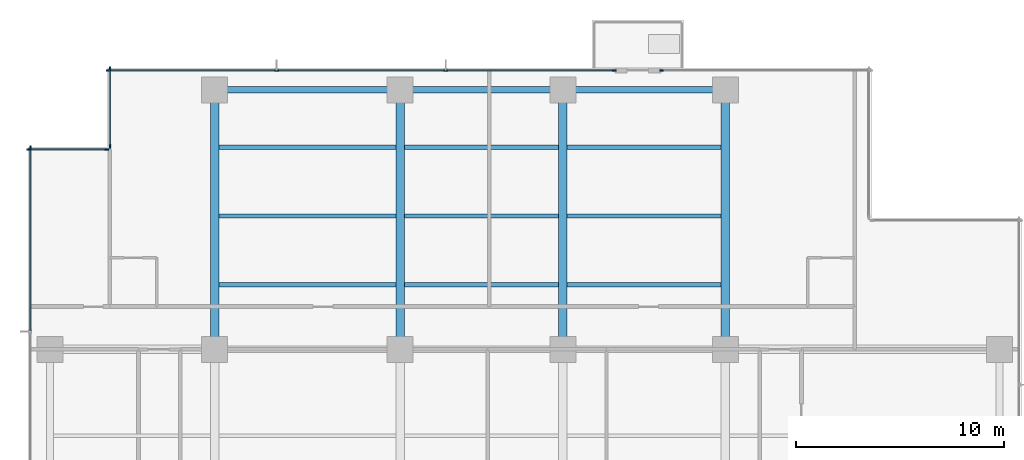
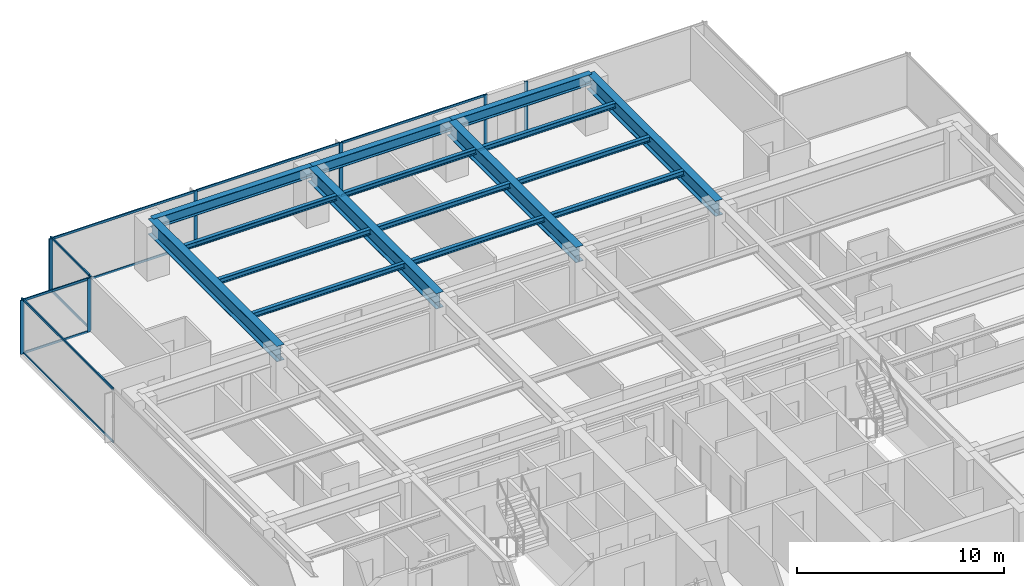
# One storey, part 5 of 16: 22 members, 16 beams, 5 elements without a shape of their own.
"""IFC4 building model written with IfcOpenShell, lengths in metres."""

from ifc_helpers import new_model, si_unit, direction, frame, origin, origin_2d, place, context, subcontext, project, spatial, rectangle, i_section, extrude, material, layer, layer_set, material_profile, profile_set, type_object, element, aggregate, save


model = new_model("IFC4")

# Units and contexts
model_context = context("Model", 3, precision=1e-05, world=origin(), true_north=direction((0.0, 1.0)))
body_context = subcontext(model_context, "Body", "Model", "MODEL_VIEW")
ifc_project = project(units=[si_unit("LENGTHUNIT", "METRE"), si_unit("AREAUNIT", "SQUARE_METRE"), si_unit("VOLUMEUNIT", "CUBIC_METRE"), si_unit("PLANEANGLEUNIT", "RADIAN"), si_unit("MASSUNIT", "GRAM", prefix="KILO")], contexts=[model_context])

# Site, building, storey
site_placement = place(None, origin())
site = spatial("IfcSite", under=ifc_project, at=site_placement, CompositionType="ELEMENT")
building_placement = place(site_placement, origin())
building = spatial("IfcBuilding", under=site, at=building_placement, Name="Qalmaran Belvedere Hotel", CompositionType="ELEMENT")
storey_placement = place(building_placement, frame((0.0, 0.0, 126.699951171875)))
storey = spatial("IfcBuildingStorey", under=building, at=storey_placement, Name="L32", CompositionType="ELEMENT", Elevation=126.699951171875)

# Beams
ifc_material_1 = material(Name="Steel S355JR", Category="steel")
ifc_material_profile_1 = material_profile(ifc_material_1, i_section(OverallWidth=0.202880859375, OverallDepth=0.302978515625, WebThickness=0.007568359375, FlangeThickness=0.01318359375, FilletRadius=0.012939453125, at=origin_2d()), Name="W310X60")
ifc_profile_set_1 = profile_set([ifc_material_profile_1], Name="Steel S355JR")
beam_type_1 = type_object("IfcBeamType", Name="BM-JST-W310X60", PredefinedType="JOIST", material=ifc_profile_set_1)
beam_1_placement = place(storey_placement, frame((20.507080078125, 36.10009765625, 3.028564453125), z_axis=(1.0, 0.0, 0.0), x_axis=(0.0, 1.0, 0.0)))
element("IfcBeam", 1, at=beam_1_placement, inside=storey, type_object=beam_type_1, Name="L32 North Floor Joist 042", PredefinedType="JOIST", context=body_context, shape_type="SweptSolid", body=[
    extrude(i_section(OverallWidth=0.202880859375, OverallDepth=0.302978515625, WebThickness=0.007568359375, FlangeThickness=0.01318359375, FilletRadius=0.012939453125, at=origin_2d()), origin(), (0.0, 0.0, 1.0), 8.48583984375),
])
for number, where, z_axis, x_axis, name in (
    (2, (29.406982421875, 36.10009765625, 3.028564453125), (1.0, 0.0, 0.0), (0.0, 1.0, 0.0), "L32 North Floor Joist 043"),
    (3, (37.20703125, 36.10009765625, 3.028564453125), (1.0, 0.0, 0.0), (0.0, 1.0, 0.0), "L32 North Floor Joist 044"),
):
    element("IfcBeam", number, at=place(storey_placement, frame(where, z_axis=z_axis, x_axis=x_axis)), inside=storey, type_object=beam_type_1, Name=name, PredefinedType="JOIST", context=body_context, shape_type="SweptSolid", body=[
        extrude(i_section(OverallWidth=0.202880859375, OverallDepth=0.302978515625, WebThickness=0.007568359375, FlangeThickness=0.01318359375, FilletRadius=0.012939453125, at=origin_2d()), origin(), (0.0, 0.0, 1.0), 7.385986328125),
    ])
beam_2_placement = place(storey_placement, frame((20.507080078125, 39.39990234375, 3.028564453125), z_axis=(1.0, 0.0, 0.0), x_axis=(0.0, 1.0, 0.0)))
element("IfcBeam", 4, at=beam_2_placement, inside=storey, type_object=beam_type_1, Name="L32 North Floor Joist 045", PredefinedType="JOIST", context=body_context, shape_type="SweptSolid", body=[
    extrude(i_section(OverallWidth=0.202880859375, OverallDepth=0.302978515625, WebThickness=0.007568359375, FlangeThickness=0.01318359375, FilletRadius=0.012939453125, at=origin_2d()), origin(), (0.0, 0.0, 1.0), 8.48583984375),
])
for number, where, z_axis, x_axis, name in (
    (5, (29.406982421875, 39.39990234375, 3.028564453125), (1.0, 0.0, 0.0), (0.0, 1.0, 0.0), "L32 North Floor Joist 046"),
    (6, (37.20703125, 39.39990234375, 3.028564453125), (1.0, 0.0, 0.0), (0.0, 1.0, 0.0), "L32 North Floor Joist 047"),
):
    element("IfcBeam", number, at=place(storey_placement, frame(where, z_axis=z_axis, x_axis=x_axis)), inside=storey, type_object=beam_type_1, Name=name, PredefinedType="JOIST", context=body_context, shape_type="SweptSolid", body=[
        extrude(i_section(OverallWidth=0.202880859375, OverallDepth=0.302978515625, WebThickness=0.007568359375, FlangeThickness=0.01318359375, FilletRadius=0.012939453125, at=origin_2d()), origin(), (0.0, 0.0, 1.0), 7.385986328125),
    ])
beam_3_placement = place(storey_placement, frame((20.507080078125, 42.699951171875, 3.028564453125), z_axis=(1.0, 0.0, 0.0), x_axis=(0.0, 1.0, 0.0)))
element("IfcBeam", 7, at=beam_3_placement, inside=storey, type_object=beam_type_1, Name="L32 North Floor Joist 048", PredefinedType="JOIST", context=body_context, shape_type="SweptSolid", body=[
    extrude(i_section(OverallWidth=0.202880859375, OverallDepth=0.302978515625, WebThickness=0.007568359375, FlangeThickness=0.01318359375, FilletRadius=0.012939453125, at=origin_2d()), origin(), (0.0, 0.0, 1.0), 8.48583984375),
])
for number, where, z_axis, x_axis, name in (
    (8, (29.406982421875, 42.699951171875, 3.028564453125), (1.0, 0.0, 0.0), (0.0, 1.0, 0.0), "L32 North Floor Joist 049"),
    (9, (37.20703125, 42.699951171875, 3.028564453125), (1.0, 0.0, 0.0), (0.0, 1.0, 0.0), "L32 North Floor Joist 050"),
):
    element("IfcBeam", number, at=place(storey_placement, frame(where, z_axis=z_axis, x_axis=x_axis)), inside=storey, type_object=beam_type_1, Name=name, PredefinedType="JOIST", context=body_context, shape_type="SweptSolid", body=[
        extrude(i_section(OverallWidth=0.202880859375, OverallDepth=0.302978515625, WebThickness=0.007568359375, FlangeThickness=0.01318359375, FilletRadius=0.012939453125, at=origin_2d()), origin(), (0.0, 0.0, 1.0), 7.385986328125),
    ])
ifc_material_profile_2 = material_profile(ifc_material_1, i_section(OverallWidth=0.41796875, OverallDepth=0.912109375, WebThickness=0.019287109375, FlangeThickness=0.031982421875, FilletRadius=0.02392578125, at=origin_2d()), Name="W920X342")
ifc_profile_set_2 = profile_set([ifc_material_profile_2], Name="Steel S355JR")
beam_type_2 = type_object("IfcBeamType", Name="BM-PG2-W920X342", PredefinedType="USERDEFINED", material=ifc_profile_set_2)
for number, where, z_axis, x_axis, name in (
    (10, (20.300048828125, 33.0, 2.72412109375), (0.0, 1.0, 0.0), (-1.0, 0.0, 0.0), "L32 North Bay Girder 15"),
    (11, (29.199951171875, 33.0, 2.72412109375), (0.0, 1.0, 0.0), (-1.0, 0.0, 0.0), "L32 North Bay Girder 17"),
    (12, (37.0, 33.0, 2.72412109375), (0.0, 1.0, 0.0), (-1.0, 0.0, 0.0), "L32 North Bay Girder 19"),
    (13, (44.800048828125, 33.0, 2.72412109375), (0.0, 1.0, 0.0), (-1.0, 0.0, 0.0), "L32 North Bay Girder 21"),
):
    element("IfcBeam", number, at=place(storey_placement, frame(where, z_axis=z_axis, x_axis=x_axis)), inside=storey, type_object=beam_type_2, Name=name, ObjectType="GIRDER", PredefinedType="USERDEFINED", context=body_context, shape_type="SweptSolid", body=[
        extrude(i_section(OverallWidth=0.41796875, OverallDepth=0.912109375, WebThickness=0.019287109375, FlangeThickness=0.031982421875, FilletRadius=0.02392578125, at=origin_2d()), origin(), (0.0, 0.0, 1.0), 12.449951171875),
    ])
ifc_material_profile_3 = material_profile(ifc_material_1, i_section(OverallWidth=0.326904296875, OverallDepth=0.6220703125, WebThickness=0.015380859375, FlangeThickness=0.0244140625, FilletRadius=0.02001953125, at=origin_2d()), Name="W610X195")
ifc_profile_set_3 = profile_set([ifc_material_profile_3], Name="Steel S355JR")
beam_type_3 = type_object("IfcBeamType", Name="BM-SP1-W610X195", PredefinedType="SPANDREL", material=ifc_profile_set_3)
beam_4_placement = place(storey_placement, frame((20.300048828125, 45.449951171875, 2.869140625), z_axis=(1.0, 0.0, 0.0), x_axis=(0.0, 1.0, 0.0)))
element("IfcBeam", 14, at=beam_4_placement, inside=storey, type_object=beam_type_3, Name="L32 Perimeter Spandrel 05", PredefinedType="SPANDREL", context=body_context, shape_type="SweptSolid", body=[
    extrude(i_section(OverallWidth=0.326904296875, OverallDepth=0.6220703125, WebThickness=0.015380859375, FlangeThickness=0.0244140625, FilletRadius=0.02001953125, at=origin_2d()), origin(), (0.0, 0.0, 1.0), 8.89990234375),
])
for number, where, z_axis, x_axis, name in (
    (15, (29.199951171875, 45.449951171875, 2.869140625), (1.0, 0.0, 0.0), (0.0, 1.0, 0.0), "L32 Perimeter Spandrel 06"),
    (16, (37.0, 45.449951171875, 2.869140625), (1.0, 0.0, 0.0), (0.0, 1.0, 0.0), "L32 Perimeter Spandrel 07"),
):
    element("IfcBeam", number, at=place(storey_placement, frame(where, z_axis=z_axis, x_axis=x_axis)), inside=storey, type_object=beam_type_3, Name=name, PredefinedType="SPANDREL", context=body_context, shape_type="SweptSolid", body=[
        extrude(i_section(OverallWidth=0.326904296875, OverallDepth=0.6220703125, WebThickness=0.015380859375, FlangeThickness=0.0244140625, FilletRadius=0.02001953125, at=origin_2d()), origin(), (0.0, 0.0, 1.0), 7.800048828125),
    ])

# Curtain wall, members
ifc_material_2 = material(Name="Anodised Bronze Aluminium", Category="aluminium")
ifc_layer = layer(ifc_material_2, 0.199951171875, Name="Anodised Bronze Aluminium")
ifc_layer_set = layer_set([ifc_layer], Name="Anodised Bronze Aluminium")
curtain_wall_type = type_object("IfcCurtainWallType", Name="CW3-TOWER-LOWMID", PredefinedType="NOTDEFINED", material=ifc_layer_set)
curtain_wall_1_placement = place(storey_placement, origin())
curtain_wall_1 = element("IfcCurtainWall", 17, at=curtain_wall_1_placement, inside=storey, type_object=curtain_wall_type, Name="L32 Curtain Wall CW3", PredefinedType="NOTDEFINED")
ifc_material_profile_4 = material_profile(ifc_material_2, rectangle(XDim=0.070068359375, YDim=0.18994140625, at=origin_2d()), Name="CWM70X190")
ifc_profile_set_4 = profile_set([ifc_material_profile_4], Name="Anodised Bronze Aluminium")
member_type_1 = type_object("IfcMemberType", Name="CWM-70X190", PredefinedType="MULLION", material=ifc_profile_set_4)
member_1_placement = place(storey_placement, frame((39.465087890625, 46.3798828125, 0.0), z_axis=(0.0, 0.0, 1.0), x_axis=(0.0, -1.0, 0.0)))
member_1 = element("IfcMember", 18, at=member_1_placement, type_object=member_type_1, Name="CW3 mullion 1", PredefinedType="MULLION", context=body_context, shape_type="SweptSolid", body=[
    extrude(rectangle(XDim=0.070068359375, YDim=0.18994140625, at=origin_2d()), origin(), (0.0, 0.0, 1.0), 3.179931640625),
])
member_2_placement = place(storey_placement, frame((31.38330078125, 46.3798828125, 0.0), z_axis=(0.0, 0.0, 1.0), x_axis=(0.0, -1.0, 0.0)))
member_2 = element("IfcMember", 19, at=member_2_placement, type_object=member_type_1, Name="CW3 mullion 2", PredefinedType="MULLION", context=body_context, shape_type="SweptSolid", body=[
    extrude(rectangle(XDim=0.070068359375, YDim=0.18994140625, at=origin_2d()), origin(), (0.0, 0.0, 1.0), 3.179931640625),
])
member_3_placement = place(storey_placement, frame((23.2666015625, 46.3798828125, 0.0), z_axis=(0.0, 0.0, 1.0), x_axis=(0.0, -1.0, 0.0)))
member_3 = element("IfcMember", 20, at=member_3_placement, type_object=member_type_1, Name="CW3 mullion 3", PredefinedType="MULLION", context=body_context, shape_type="SweptSolid", body=[
    extrude(rectangle(XDim=0.070068359375, YDim=0.18994140625, at=origin_2d()), origin(), (0.0, 0.0, 1.0), 3.179931640625),
])
member_4_placement = place(storey_placement, frame((15.18505859375, 46.3798828125, 0.0), z_axis=(0.0, 0.0, 1.0), x_axis=(0.0, -1.0, 0.0)))
member_4 = element("IfcMember", 21, at=member_4_placement, type_object=member_type_1, Name="CW3 mullion 4", PredefinedType="MULLION", context=body_context, shape_type="SweptSolid", body=[
    extrude(rectangle(XDim=0.070068359375, YDim=0.18994140625, at=origin_2d()), origin(), (0.0, 0.0, 1.0), 3.179931640625),
])

# Curtain wall, member
curtain_wall_2_placement = place(storey_placement, origin())
curtain_wall_2 = element("IfcCurtainWall", 22, at=curtain_wall_2_placement, inside=storey, type_object=curtain_wall_type, Name="L32 Curtain Wall CW3", PredefinedType="NOTDEFINED")
member_5_placement = place(storey_placement, frame((41.735107421875, 46.3798828125, 0.0), z_axis=(0.0, 0.0, 1.0), x_axis=(0.0, -1.0, 0.0)))
member_5 = element("IfcMember", 23, at=member_5_placement, type_object=member_type_1, Name="CW3 mullion 2", PredefinedType="MULLION", context=body_context, shape_type="SweptSolid", body=[
    extrude(rectangle(XDim=0.070068359375, YDim=0.18994140625, at=origin_2d()), origin(), (0.0, 0.0, 1.0), 3.179931640625),
])
aggregate(curtain_wall_2, [member_5])

# Curtain wall, members
curtain_wall_3_placement = place(storey_placement, origin())
curtain_wall_3 = element("IfcCurtainWall", 24, at=curtain_wall_3_placement, inside=storey, type_object=curtain_wall_type, Name="L32 Curtain Wall CW3", PredefinedType="NOTDEFINED")
member_6_placement = place(storey_placement, frame((15.27001953125, 46.465087890625, 0.0), z_axis=(0.0, 0.0, 1.0), x_axis=(1.0, 0.0, 0.0)))
member_6 = element("IfcMember", 25, at=member_6_placement, type_object=member_type_1, Name="CW3 mullion 1", PredefinedType="MULLION", context=body_context, shape_type="SweptSolid", body=[
    extrude(rectangle(XDim=0.070068359375, YDim=0.18994140625, at=origin_2d()), origin(), (0.0, 0.0, 1.0), 3.179931640625),
])
member_7_placement = place(storey_placement, frame((15.27001953125, 42.735107421875, 0.0), z_axis=(0.0, 0.0, 1.0), x_axis=(1.0, 0.0, 0.0)))
member_7 = element("IfcMember", 26, at=member_7_placement, type_object=member_type_1, Name="CW3 mullion 2", PredefinedType="MULLION", context=body_context, shape_type="SweptSolid", body=[
    extrude(rectangle(XDim=0.070068359375, YDim=0.18994140625, at=origin_2d()), origin(), (0.0, 0.0, 1.0), 3.179931640625),
])

curtain_wall_4_placement = place(storey_placement, origin())
curtain_wall_4 = element("IfcCurtainWall", 27, at=curtain_wall_4_placement, inside=storey, type_object=curtain_wall_type, Name="L32 Curtain Wall CW3", PredefinedType="NOTDEFINED")
member_8_placement = place(storey_placement, frame((15.114990234375, 42.580078125, 0.0), z_axis=(0.0, 0.0, 1.0), x_axis=(0.0, -1.0, 0.0)))
member_8 = element("IfcMember", 28, at=member_8_placement, type_object=member_type_1, Name="CW3 mullion 1", PredefinedType="MULLION", context=body_context, shape_type="SweptSolid", body=[
    extrude(rectangle(XDim=0.070068359375, YDim=0.18994140625, at=origin_2d()), origin(), (0.0, 0.0, 1.0), 3.179931640625),
])
member_9_placement = place(storey_placement, frame((11.385009765625, 42.580078125, 0.0), z_axis=(0.0, 0.0, 1.0), x_axis=(0.0, -1.0, 0.0)))
member_9 = element("IfcMember", 29, at=member_9_placement, type_object=member_type_1, Name="CW3 mullion 2", PredefinedType="MULLION", context=body_context, shape_type="SweptSolid", body=[
    extrude(rectangle(XDim=0.070068359375, YDim=0.18994140625, at=origin_2d()), origin(), (0.0, 0.0, 1.0), 3.179931640625),
])

# Curtain wall, member
curtain_wall_5_placement = place(storey_placement, origin())
curtain_wall_5 = element("IfcCurtainWall", 30, at=curtain_wall_5_placement, inside=storey, type_object=curtain_wall_type, Name="L32 Curtain Wall CW3", PredefinedType="NOTDEFINED")
member_10_placement = place(storey_placement, frame((11.469970703125, 42.6650390625, 0.0), z_axis=(0.0, 0.0, 1.0), x_axis=(1.0, 0.0, 0.0)))
member_10 = element("IfcMember", 31, at=member_10_placement, type_object=member_type_1, Name="CW3 mullion 1", PredefinedType="MULLION", context=body_context, shape_type="SweptSolid", body=[
    extrude(rectangle(XDim=0.070068359375, YDim=0.18994140625, at=origin_2d()), origin(), (0.0, 0.0, 1.0), 3.179931640625),
])

# Member
ifc_material_profile_5 = material_profile(ifc_material_2, rectangle(XDim=0.06494140625, YDim=0.1298828125, at=origin_2d()), Name="CWT65X130")
ifc_profile_set_5 = profile_set([ifc_material_profile_5], Name="Anodised Bronze Aluminium")
member_type_2 = type_object("IfcMemberType", Name="CWT-65X130", PredefinedType="USERDEFINED", material=ifc_profile_set_5)
member_11_placement = place(storey_placement, frame((39.429931640625, 46.3798828125, 0.032470703125), z_axis=(-1.0, 0.0, 0.0), x_axis=(0.0, -1.0, 0.0)))
member_11 = element("IfcMember", 32, at=member_11_placement, type_object=member_type_2, Name="CW3 transom 1.1", ObjectType="TRANSOM", PredefinedType="USERDEFINED", context=body_context, shape_type="SweptSolid", body=[
    extrude(rectangle(XDim=0.06494140625, YDim=0.1298828125, at=origin_2d()), origin(), (0.0, 0.0, 1.0), 8.01171875),
])

member_12_placement = place(storey_placement, frame((39.429931640625, 46.3798828125, 3.1474609375), z_axis=(-1.0, 0.0, 0.0), x_axis=(0.0, -1.0, 0.0)))
member_12 = element("IfcMember", 33, at=member_12_placement, type_object=member_type_2, Name="CW3 transom 1.2", ObjectType="TRANSOM", PredefinedType="USERDEFINED", context=body_context, shape_type="SweptSolid", body=[
    extrude(rectangle(XDim=0.06494140625, YDim=0.1298828125, at=origin_2d()), origin(), (0.0, 0.0, 1.0), 8.01171875),
])

member_13_placement = place(storey_placement, frame((31.348388671875, 46.3798828125, 0.032470703125), z_axis=(-1.0, 0.0, 0.0), x_axis=(0.0, -1.0, 0.0)))
member_13 = element("IfcMember", 34, at=member_13_placement, type_object=member_type_2, Name="CW3 transom 2.1", ObjectType="TRANSOM", PredefinedType="USERDEFINED", context=body_context, shape_type="SweptSolid", body=[
    extrude(rectangle(XDim=0.06494140625, YDim=0.1298828125, at=origin_2d()), origin(), (0.0, 0.0, 1.0), 8.046630859375),
])

member_14_placement = place(storey_placement, frame((31.348388671875, 46.3798828125, 3.1474609375), z_axis=(-1.0, 0.0, 0.0), x_axis=(0.0, -1.0, 0.0)))
member_14 = element("IfcMember", 35, at=member_14_placement, type_object=member_type_2, Name="CW3 transom 2.2", ObjectType="TRANSOM", PredefinedType="USERDEFINED", context=body_context, shape_type="SweptSolid", body=[
    extrude(rectangle(XDim=0.06494140625, YDim=0.1298828125, at=origin_2d()), origin(), (0.0, 0.0, 1.0), 8.046630859375),
])

member_15_placement = place(storey_placement, frame((23.231689453125, 46.3798828125, 0.032470703125), z_axis=(-1.0, 0.0, 0.0), x_axis=(0.0, -1.0, 0.0)))
member_15 = element("IfcMember", 36, at=member_15_placement, type_object=member_type_2, Name="CW3 transom 3.1", ObjectType="TRANSOM", PredefinedType="USERDEFINED", context=body_context, shape_type="SweptSolid", body=[
    extrude(rectangle(XDim=0.06494140625, YDim=0.1298828125, at=origin_2d()), origin(), (0.0, 0.0, 1.0), 8.01171875),
])

member_16_placement = place(storey_placement, frame((23.231689453125, 46.3798828125, 3.1474609375), z_axis=(-1.0, 0.0, 0.0), x_axis=(0.0, -1.0, 0.0)))
member_16 = element("IfcMember", 37, at=member_16_placement, type_object=member_type_2, Name="CW3 transom 3.2", ObjectType="TRANSOM", PredefinedType="USERDEFINED", context=body_context, shape_type="SweptSolid", body=[
    extrude(rectangle(XDim=0.06494140625, YDim=0.1298828125, at=origin_2d()), origin(), (0.0, 0.0, 1.0), 8.01171875),
])

aggregate(curtain_wall_1, [member_1, member_2, member_3, member_4, member_11, member_12, member_13, member_14, member_15, member_16])

member_17_placement = place(storey_placement, frame((15.27001953125, 46.429931640625, 0.032470703125), z_axis=(0.0, -1.0, 0.0), x_axis=(1.0, 0.0, 0.0)))
member_17 = element("IfcMember", 38, at=member_17_placement, type_object=member_type_2, Name="CW3 transom 1.1", ObjectType="TRANSOM", PredefinedType="USERDEFINED", context=body_context, shape_type="SweptSolid", body=[
    extrude(rectangle(XDim=0.06494140625, YDim=0.1298828125, at=origin_2d()), origin(), (0.0, 0.0, 1.0), 3.659912109375),
])

member_18_placement = place(storey_placement, frame((15.27001953125, 46.429931640625, 3.1474609375), z_axis=(0.0, -1.0, 0.0), x_axis=(1.0, 0.0, 0.0)))
member_18 = element("IfcMember", 39, at=member_18_placement, type_object=member_type_2, Name="CW3 transom 1.2", ObjectType="TRANSOM", PredefinedType="USERDEFINED", context=body_context, shape_type="SweptSolid", body=[
    extrude(rectangle(XDim=0.06494140625, YDim=0.1298828125, at=origin_2d()), origin(), (0.0, 0.0, 1.0), 3.659912109375),
])

aggregate(curtain_wall_3, [member_6, member_7, member_17, member_18])

member_19_placement = place(storey_placement, frame((15.080078125, 42.580078125, 0.032470703125), z_axis=(-1.0, 0.0, 0.0), x_axis=(0.0, -1.0, 0.0)))
member_19 = element("IfcMember", 40, at=member_19_placement, type_object=member_type_2, Name="CW3 transom 1.1", ObjectType="TRANSOM", PredefinedType="USERDEFINED", context=body_context, shape_type="SweptSolid", body=[
    extrude(rectangle(XDim=0.06494140625, YDim=0.1298828125, at=origin_2d()), origin(), (0.0, 0.0, 1.0), 3.66015625),
])

member_20_placement = place(storey_placement, frame((15.080078125, 42.580078125, 3.1474609375), z_axis=(-1.0, 0.0, 0.0), x_axis=(0.0, -1.0, 0.0)))
member_20 = element("IfcMember", 41, at=member_20_placement, type_object=member_type_2, Name="CW3 transom 1.2", ObjectType="TRANSOM", PredefinedType="USERDEFINED", context=body_context, shape_type="SweptSolid", body=[
    extrude(rectangle(XDim=0.06494140625, YDim=0.1298828125, at=origin_2d()), origin(), (0.0, 0.0, 1.0), 3.66015625),
])

aggregate(curtain_wall_4, [member_8, member_9, member_19, member_20])

member_21_placement = place(storey_placement, frame((11.469970703125, 42.6298828125, 0.032470703125), z_axis=(0.0, -1.0, 0.0), x_axis=(1.0, 0.0, 0.0)))
member_21 = element("IfcMember", 42, at=member_21_placement, type_object=member_type_2, Name="CW3 transom 1.1", ObjectType="TRANSOM", PredefinedType="USERDEFINED", context=body_context, shape_type="SweptSolid", body=[
    extrude(rectangle(XDim=0.06494140625, YDim=0.1298828125, at=origin_2d()), origin(), (0.0, 0.0, 1.0), 8.744873046875),
])

member_22_placement = place(storey_placement, frame((11.469970703125, 42.6298828125, 3.1474609375), z_axis=(0.0, -1.0, 0.0), x_axis=(1.0, 0.0, 0.0)))
member_22 = element("IfcMember", 43, at=member_22_placement, type_object=member_type_2, Name="CW3 transom 1.2", ObjectType="TRANSOM", PredefinedType="USERDEFINED", context=body_context, shape_type="SweptSolid", body=[
    extrude(rectangle(XDim=0.06494140625, YDim=0.1298828125, at=origin_2d()), origin(), (0.0, 0.0, 1.0), 8.744873046875),
])

aggregate(curtain_wall_5, [member_10, member_21, member_22])

save(model, "model.ifc")
